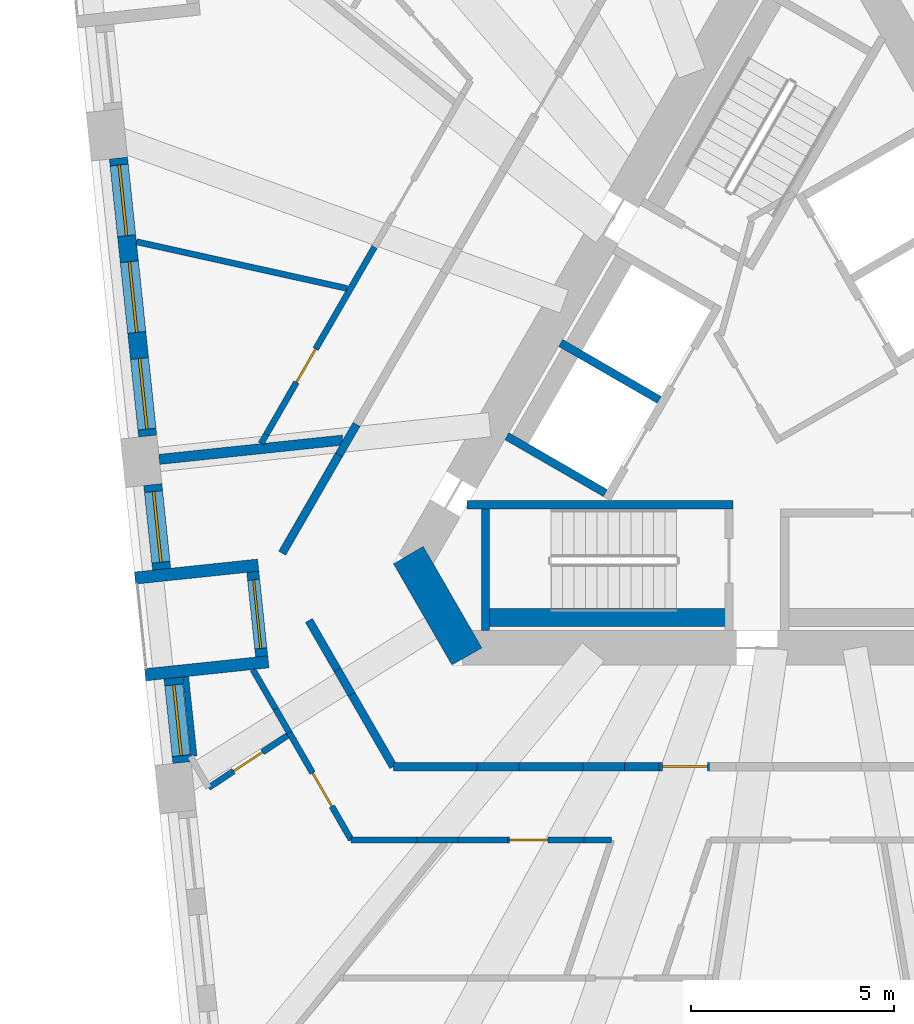
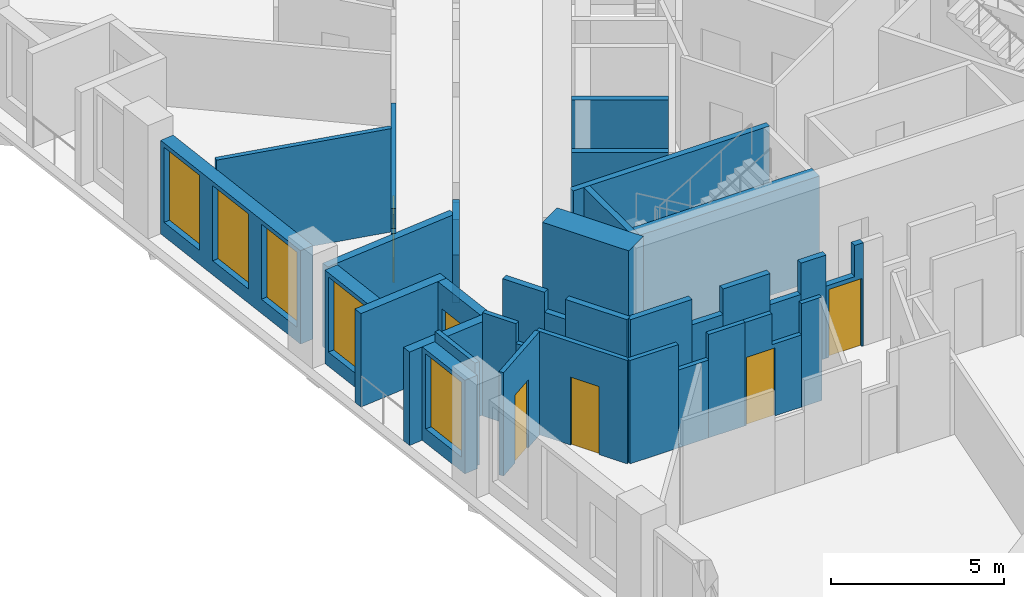
# One storey, part 3 of 14: 37 walls, 6 doors, 5 windows, 11 openings.
"""IFC4 building model written with IfcOpenShell, lengths in metres."""

from ifc_helpers import new_model, si_unit, direction, frame, frame_2d, origin, place, context, subcontext, project, spatial, polyline, rectangle, outline, extrude, material, layer, layer_set, type_object, element, fill, save


model = new_model("IFC4")

# Units and contexts
model_context = context("Model", 3, precision=1e-05, world=origin(), true_north=direction((0.0, 1.0)))
body_context = subcontext(model_context, "Body", "Model", "MODEL_VIEW")
ifc_project = project(units=[si_unit("LENGTHUNIT", "METRE"), si_unit("AREAUNIT", "SQUARE_METRE"), si_unit("VOLUMEUNIT", "CUBIC_METRE"), si_unit("PLANEANGLEUNIT", "RADIAN"), si_unit("MASSUNIT", "GRAM", prefix="KILO")], contexts=[model_context])

# Site, building, storey
site_placement = place(None, origin())
site = spatial("IfcSite", under=ifc_project, at=site_placement, CompositionType="ELEMENT")
building_placement = place(site_placement, origin())
building = spatial("IfcBuilding", under=site, at=building_placement, Name="Tramontana Tower", CompositionType="ELEMENT")
storey_placement = place(building_placement, frame((0.0, 0.0, 170.800048828125)))
storey = spatial("IfcBuildingStorey", under=building, at=storey_placement, Name="L39", CompositionType="ELEMENT", Elevation=170.800048828125)

# Wall
ifc_material_1 = material(Name="Concrete 70 MPa", Category="concrete")
ifc_layer_1 = layer(ifc_material_1, 0.85009765625)
ifc_layer_set_1 = layer_set([ifc_layer_1], Name="Core wall 850 70 MPa")
wall_type_1 = type_object("IfcWallType", Name="Core wall 850 70 MPa", PredefinedType="SHEAR", material=ifc_layer_set_1)
wall_1_placement = place(storey_placement, frame((-9.8798828125, -4.03759765625, 0.0), z_axis=(0.0, 0.0, 1.0), x_axis=(0.499995765644, -0.866027848477, 0.0)))
element("IfcWall", 1, at=wall_1_placement, inside=storey, type_object=wall_type_1, Name="Core wall C2 L39", PredefinedType="SHEAR", context=body_context, shape_type="SweptSolid", body=[
    extrude(rectangle(XDim=2.88671875, YDim=0.85009765625, at=frame_2d((1.443359375, 0.0))), origin(), (0.0, 0.0, 1.0), 4.0),
])

# Wall, opening, door
ifc_material_2 = material(Name="Blockwork", Category="masonry")
ifc_layer_2 = layer(ifc_material_2, 0.199951171875)
ifc_layer_set_2 = layer_set([ifc_layer_2], Name="ENTRY WALL 200")
wall_type_2 = type_object("IfcWallType", Name="ENTRY WALL 200", PredefinedType="SOLIDWALL", material=ifc_layer_set_2)
wall_2_placement = place(storey_placement, frame((-3.713134765625, -9.25, 0.0), z_axis=(0.0, 0.0, 1.0), x_axis=(1.0, 0.0, 0.0)))
wall_2 = element("IfcWall", 2, at=wall_2_placement, inside=storey, type_object=wall_type_2, Name="Wall v40-ew2-7", PredefinedType="SOLIDWALL", context=body_context, shape_type="SweptSolid", body=[
    extrude(outline(polyline([(0.0, 0.0), (1.2451171875, 0.0), (1.2451171875, 3.64990234375), (0.95361328125, 3.64990234375), (0.95361328125, 2.550048828125), (0.0, 2.550048828125), (0.0, 0.0)])), frame((0.0, 0.10009765625, 0.0), z_axis=(0.0, -1.0, 0.0), x_axis=(1.0, 0.0, 0.0)), (0.0, 0.0, 1.0), 0.199951171875),
])
opening_1_placement = place(wall_2_placement, frame((0.09521484375, 0.0, 0.0)))
opening_1 = element("IfcOpeningElement", 3, at=opening_1_placement, cuts=wall_2, Name="Opening B4A-23", PredefinedType="OPENING", context=body_context, shape_type="SweptSolid", body=[
    extrude(rectangle(XDim=1.10009765625, YDim=2.39990234375, at=frame_2d((0.550048828125, 1.199951171875))), frame((0.0, 0.10986328125, 0.0), z_axis=(0.0, -1.0, 0.0), x_axis=(1.0, 0.0, 0.0)), (0.0, 0.0, 1.0), 0.219970703125),
])
ifc_material_3 = material(Name="Painted timber", Category="wood")
door_type_1 = type_object("IfcDoorType", Name="DOOR ENTRY 1100", OperationType="SINGLE_SWING_LEFT", PredefinedType="DOOR", material=ifc_material_3)
door_1_placement = place(opening_1_placement, origin())
door_1 = element("IfcDoor", 4, at=door_1_placement, inside=storey, type_object=door_type_1, Name="Door B4A-23", OperationType="SINGLE_SWING_LEFT", OverallHeight=2.39990234375, OverallWidth=1.10009765625, PredefinedType="DOOR", context=body_context, shape_type="SweptSolid", body=[
    extrude(rectangle(XDim=1.10009765625, YDim=2.39990234375, at=frame_2d((0.550048828125, 1.199951171875))), frame((0.0, 0.02490234375, 0.0), z_axis=(0.0, -1.0, 0.0), x_axis=(1.0, 0.0, 0.0)), (0.0, 0.0, 1.0), 0.050048828125),
])
fill(opening_1, door_1)

# Walls
wall_3_placement = place(storey_placement, frame((-3.713134765625, -9.25, 0.0), z_axis=(0.0, 0.0, 1.0), x_axis=(-1.0, 0.0, 0.0)))
element("IfcWall", 5, at=wall_3_placement, inside=storey, type_object=wall_type_2, Name="Wall v40-ew2-8", PredefinedType="SOLIDWALL", context=body_context, shape_type="SweptSolid", body=[
    extrude(rectangle(XDim=0.84130859375, YDim=0.199951171875, at=frame_2d((0.420654296875, 0.0))), origin(), (0.0, 0.0, 1.0), 3.64990234375),
])
wall_4_placement = place(storey_placement, frame((-4.554443359375, -9.25, 0.0), z_axis=(0.0, 0.0, 1.0), x_axis=(-1.0, 0.0, 0.0)))
element("IfcWall", 6, at=wall_4_placement, inside=storey, type_object=wall_type_2, Name="Wall v40-ew2-9", PredefinedType="SOLIDWALL", context=body_context, shape_type="SweptSolid", body=[
    extrude(rectangle(XDim=1.026123046875, YDim=0.199951171875, at=frame_2d((0.51318359375, 0.0))), origin(), (0.0, 0.0, 1.0), 2.550048828125),
])
wall_5_placement = place(storey_placement, frame((-5.58056640625, -9.25, 0.0), z_axis=(0.0, 0.0, 1.0), x_axis=(-1.0, 0.0, 0.0)))
element("IfcWall", 7, at=wall_5_placement, inside=storey, type_object=wall_type_2, Name="Wall v40-ew2-10", PredefinedType="SOLIDWALL", context=body_context, shape_type="SweptSolid", body=[
    extrude(rectangle(XDim=1.57177734375, YDim=0.199951171875, at=frame_2d((0.785888671875, 0.0))), origin(), (0.0, 0.0, 1.0), 3.64990234375),
])
wall_6_placement = place(storey_placement, frame((-7.15234375, -9.25, 0.0), z_axis=(0.0, 0.0, 1.0), x_axis=(-1.0, 0.0, 0.0)))
element("IfcWall", 8, at=wall_6_placement, inside=storey, type_object=wall_type_2, Name="Wall v40-ew2-11", PredefinedType="SOLIDWALL", context=body_context, shape_type="SweptSolid", body=[
    extrude(rectangle(XDim=1.039306640625, YDim=0.199951171875, at=frame_2d((0.51953125, 0.0))), origin(), (0.0, 0.0, 1.0), 2.75),
])
wall_7_placement = place(storey_placement, frame((-8.191650390625, -9.25, 0.0), z_axis=(0.0, 0.0, 1.0), x_axis=(-1.0, 0.0, 0.0)))
element("IfcWall", 9, at=wall_7_placement, inside=storey, type_object=wall_type_2, Name="Wall v40-ew2-12", PredefinedType="SOLIDWALL", context=body_context, shape_type="SweptSolid", body=[
    extrude(rectangle(XDim=2.056396484375, YDim=0.199951171875, at=frame_2d((1.0283203125, 0.0))), origin(), (0.0, 0.0, 1.0), 3.64990234375),
])
wall_8_placement = place(storey_placement, frame((-10.248046875, -9.25, 0.0), z_axis=(0.0, 0.0, 1.0), x_axis=(-0.499941542975, 0.866059151333, 0.0)))
element("IfcWall", 10, at=wall_8_placement, inside=storey, type_object=wall_type_2, Name="Wall v40-ew3-0", PredefinedType="SOLIDWALL", context=body_context, shape_type="SweptSolid", body=[
    extrude(rectangle(XDim=2.057861328125, YDim=0.199951171875, at=frame_2d((1.02880859375, 0.0))), origin(), (0.0, 0.0, 1.0), 3.64990234375),
])
wall_9_placement = place(storey_placement, frame((-11.27685546875, -7.4677734375, 0.0), z_axis=(0.0, 0.0, 1.0), x_axis=(-0.50022532796, 0.865895271535, 0.0)))
element("IfcWall", 11, at=wall_9_placement, inside=storey, type_object=wall_type_2, Name="Wall v40-ew3-1", PredefinedType="SOLIDWALL", context=body_context, shape_type="SweptSolid", body=[
    extrude(rectangle(XDim=0.700439453125, YDim=0.199951171875, at=frame_2d((0.35009765625, 0.0))), origin(), (0.0, 0.0, 1.0), 2.949951171875),
])
wall_10_placement = place(storey_placement, frame((-11.627197265625, -6.861328125, 0.0), z_axis=(0.0, 0.0, 1.0), x_axis=(-0.49998411664, 0.866034573852, 0.0)))
element("IfcWall", 12, at=wall_10_placement, inside=storey, type_object=wall_type_2, Name="Wall v40-ew3-2", PredefinedType="SOLIDWALL", context=body_context, shape_type="SweptSolid", body=[
    extrude(rectangle(XDim=1.39990234375, YDim=0.199951171875, at=frame_2d((0.699951171875, 0.0))), origin(), (0.0, 0.0, 1.0), 3.64990234375),
])
wall_11_placement = place(storey_placement, frame((-12.986572265625, -3.993408203125, 0.0), z_axis=(0.0, 0.0, 1.0), x_axis=(0.499976698542, 0.86603885647, 0.0)))
element("IfcWall", 13, at=wall_11_placement, inside=storey, type_object=wall_type_2, Name="Wall v40-ew4-0", PredefinedType="SOLIDWALL", context=body_context, shape_type="SweptSolid", body=[
    extrude(rectangle(XDim=2.798583984375, YDim=0.199951171875, at=frame_2d((1.3994140625, 0.0))), origin(), (0.0, 0.0, 1.0), 3.64990234375),
])
wall_12_placement = place(storey_placement, frame((-11.58740234375, -1.56982421875, 0.0), z_axis=(0.0, 0.0, 1.0), x_axis=(0.500023708017, 0.866011715522, 0.0)))
element("IfcWall", 14, at=wall_12_placement, inside=storey, type_object=wall_type_2, Name="Wall v40-ew4-1", PredefinedType="SOLIDWALL", context=body_context, shape_type="SweptSolid", body=[
    extrude(rectangle(XDim=0.865234375, YDim=0.199951171875, at=frame_2d((0.4326171875, 0.0))), origin(), (0.0, 0.0, 1.0), 2.949951171875),
])

# Wall, openings, windows
ifc_material_4 = material(Name="Precast concrete 60 MPa", Category="concrete")
ifc_layer_3 = layer(ifc_material_4, 0.449951171875)
ifc_layer_set_3 = layer_set([ifc_layer_3], Name="Precast concrete 60 MPa, 450 mm")
wall_type_3 = type_object("IfcWallType", Name="EW1 Stone-faced precast wall 450", PredefinedType="SOLIDWALL", material=ifc_layer_set_3)
wall_13_placement = place(storey_placement, frame((-17.017822265625, 5.735595703125, 0.0), z_axis=(0.0, 0.0, 1.0), x_axis=(0.104531531326, -0.994521572898, 0.0)))
wall_13 = element("IfcWall", 15, at=wall_13_placement, inside=storey, type_object=wall_type_3, Name="External wall L39 face 0 bay 3", PredefinedType="SOLIDWALL", context=body_context, shape_type="SweptSolid", body=[
    extrude(rectangle(XDim=6.8828125, YDim=0.449951171875, at=frame_2d((3.44140625, 0.0))), origin(), (0.0, 0.0, 1.0), 3.300048828125),
])
opening_2_placement = place(wall_13_placement, frame((0.172119140625, 0.0, 0.5)))
opening_2 = element("IfcOpeningElement", 16, at=opening_2_placement, cuts=wall_13, Name="Opening M2", PredefinedType="OPENING", context=body_context, shape_type="SweptSolid", body=[
    extrude(rectangle(XDim=1.75, YDim=2.64990234375, at=frame_2d((0.875, 1.324951171875))), frame((0.0, 0.23486328125, 0.0), z_axis=(0.0, -1.0, 0.0), x_axis=(1.0, 0.0, 0.0)), (0.0, 0.0, 1.0), 0.469970703125),
])
opening_3_placement = place(wall_13_placement, frame((2.56640625, 0.0, 0.5)))
opening_3 = element("IfcOpeningElement", 17, at=opening_3_placement, cuts=wall_13, Name="Opening M2", PredefinedType="OPENING", context=body_context, shape_type="SweptSolid", body=[
    extrude(rectangle(XDim=1.75, YDim=2.64990234375, at=frame_2d((0.875, 1.324951171875))), frame((0.0, 0.23486328125, 0.0), z_axis=(0.0, -1.0, 0.0), x_axis=(1.0, 0.0, 0.0)), (0.0, 0.0, 1.0), 0.469970703125),
])
opening_4_placement = place(wall_13_placement, frame((4.960693359375, 0.0, 0.5)))
opening_4 = element("IfcOpeningElement", 18, at=opening_4_placement, cuts=wall_13, Name="Opening M2", PredefinedType="OPENING", context=body_context, shape_type="SweptSolid", body=[
    extrude(rectangle(XDim=1.75, YDim=2.64990234375, at=frame_2d((0.875, 1.324951171875))), frame((0.0, 0.23486328125, 0.0), z_axis=(0.0, -1.0, 0.0), x_axis=(1.0, 0.0, 0.0)), (0.0, 0.0, 1.0), 0.469970703125),
])
ifc_material_5 = material(Name="Aluminum frame, double glazing unit", Category="aluminium")
window_type = type_object("IfcWindowType", Name="M2 Window 1.75 x 2.65", PartitioningType="SINGLE_PANEL", PredefinedType="WINDOW", material=ifc_material_5)
window_1_placement = place(opening_2_placement, origin())
window_1 = element("IfcWindow", 19, at=window_1_placement, inside=storey, type_object=window_type, Name="Window M2 L39 face 0 module 7", OverallHeight=2.64990234375, OverallWidth=1.75, PartitioningType="SINGLE_PANEL", PredefinedType="WINDOW", context=body_context, shape_type="SweptSolid", body=[
    extrude(rectangle(XDim=1.75, YDim=2.64990234375, at=frame_2d((0.875, 1.324951171875))), frame((0.0, 0.030029296875, 0.0), z_axis=(0.0, -1.0, 0.0), x_axis=(1.0, 0.0, 0.0)), (0.0, 0.0, 1.0), 0.06005859375),
])
fill(opening_2, window_1)
window_2_placement = place(opening_3_placement, origin())
window_2 = element("IfcWindow", 20, at=window_2_placement, inside=storey, type_object=window_type, Name="Window M2 L39 face 0 module 8", OverallHeight=2.64990234375, OverallWidth=1.75, PartitioningType="SINGLE_PANEL", PredefinedType="WINDOW", context=body_context, shape_type="SweptSolid", body=[
    extrude(rectangle(XDim=1.75, YDim=2.64990234375, at=frame_2d((0.875, 1.324951171875))), frame((0.0, 0.030029296875, 0.0), z_axis=(0.0, -1.0, 0.0), x_axis=(1.0, 0.0, 0.0)), (0.0, 0.0, 1.0), 0.06005859375),
])
fill(opening_3, window_2)
window_3_placement = place(opening_4_placement, origin())
window_3 = element("IfcWindow", 21, at=window_3_placement, inside=storey, type_object=window_type, Name="Window M2 L39 face 0 module 9", OverallHeight=2.64990234375, OverallWidth=1.75, PartitioningType="SINGLE_PANEL", PredefinedType="WINDOW", context=body_context, shape_type="SweptSolid", body=[
    extrude(rectangle(XDim=1.75, YDim=2.64990234375, at=frame_2d((0.875, 1.324951171875))), frame((0.0, 0.030029296875, 0.0), z_axis=(0.0, -1.0, 0.0), x_axis=(1.0, 0.0, 0.0)), (0.0, 0.0, 1.0), 0.06005859375),
])
fill(opening_4, window_3)

# Wall, opening, window
wall_14_placement = place(storey_placement, frame((-16.1728515625, -2.30322265625, 0.0), z_axis=(0.0, 0.0, 1.0), x_axis=(0.104569484464, -0.994517583011, 0.0)))
wall_14 = element("IfcWall", 22, at=wall_14_placement, inside=storey, type_object=wall_type_3, Name="External wall L39 face 0 bay 4", PredefinedType="SOLIDWALL", context=body_context, shape_type="SweptSolid", body=[
    extrude(rectangle(XDim=2.09423828125, YDim=0.449951171875, at=frame_2d((1.047119140625, 0.0))), origin(), (0.0, 0.0, 1.0), 3.300048828125),
])
opening_5_placement = place(wall_14_placement, frame((0.172119140625, 0.0, 0.5)))
opening_5 = element("IfcOpeningElement", 23, at=opening_5_placement, cuts=wall_14, Name="Opening M2", PredefinedType="OPENING", context=body_context, shape_type="SweptSolid", body=[
    extrude(rectangle(XDim=1.75, YDim=2.64990234375, at=frame_2d((0.875, 1.324951171875))), frame((0.0, 0.23486328125, 0.0), z_axis=(0.0, -1.0, 0.0), x_axis=(1.0, 0.0, 0.0)), (0.0, 0.0, 1.0), 0.469970703125),
])
window_4_placement = place(opening_5_placement, origin())
window_4 = element("IfcWindow", 24, at=window_4_placement, inside=storey, type_object=window_type, Name="Window M2 L39 face 0 module 10", OverallHeight=2.64990234375, OverallWidth=1.75, PartitioningType="SINGLE_PANEL", PredefinedType="WINDOW", context=body_context, shape_type="SweptSolid", body=[
    extrude(rectangle(XDim=1.75, YDim=2.64990234375, at=frame_2d((0.875, 1.324951171875))), frame((0.0, 0.030029296875, 0.0), z_axis=(0.0, -1.0, 0.0), x_axis=(1.0, 0.0, 0.0)), (0.0, 0.0, 1.0), 0.06005859375),
])
fill(opening_5, window_4)

wall_15_placement = place(storey_placement, frame((-15.67236328125, -7.0654296875, 0.0), z_axis=(0.0, 0.0, 1.0), x_axis=(0.104557362307, -0.994518857532, 0.0)))
wall_15 = element("IfcWall", 25, at=wall_15_placement, inside=storey, type_object=wall_type_3, Name="External wall L39 face 0 bay 4", PredefinedType="SOLIDWALL", context=body_context, shape_type="SweptSolid", body=[
    extrude(rectangle(XDim=2.094482421875, YDim=0.449951171875, at=frame_2d((1.04736328125, 0.0))), origin(), (0.0, 0.0, 1.0), 3.300048828125),
])
opening_6_placement = place(wall_15_placement, frame((0.172119140625, 0.0, 0.5)))
opening_6 = element("IfcOpeningElement", 26, at=opening_6_placement, cuts=wall_15, Name="Opening M2", PredefinedType="OPENING", context=body_context, shape_type="SweptSolid", body=[
    extrude(rectangle(XDim=1.75, YDim=2.64990234375, at=frame_2d((0.875, 1.324951171875))), frame((0.0, 0.23486328125, 0.0), z_axis=(0.0, -1.0, 0.0), x_axis=(1.0, 0.0, 0.0)), (0.0, 0.0, 1.0), 0.469970703125),
])
window_5_placement = place(opening_6_placement, origin())
window_5 = element("IfcWindow", 27, at=window_5_placement, inside=storey, type_object=window_type, Name="Window M2 L39 face 0 module 12", OverallHeight=2.64990234375, OverallWidth=1.75, PartitioningType="SINGLE_PANEL", PredefinedType="WINDOW", context=body_context, shape_type="SweptSolid", body=[
    extrude(rectangle(XDim=1.75, YDim=2.64990234375, at=frame_2d((0.875, 1.324951171875))), frame((0.0, 0.030029296875, 0.0), z_axis=(0.0, -1.0, 0.0), x_axis=(1.0, 0.0, 0.0)), (0.0, 0.0, 1.0), 0.06005859375),
])
fill(opening_6, window_5)

# Wall, opening, door
ifc_material_6 = material(Name="Precast concrete 60 MPa", Category="concrete")
ifc_layer_4 = layer(ifc_material_6, 0.300048828125)
ifc_layer_set_4 = layer_set([ifc_layer_4], Name="LW1 Stone-faced loggia wall 300")
wall_type_4 = type_object("IfcWallType", Name="LW1 Stone-faced loggia wall 300", PredefinedType="SOLIDWALL", material=ifc_layer_set_4)
wall_16_placement = place(storey_placement, frame((-13.709716796875, -4.45166015625, 0.0), z_axis=(0.0, 0.0, 1.0), x_axis=(0.104442071108, -0.994530971756, 0.0)))
wall_16 = element("IfcWall", 28, at=wall_16_placement, inside=storey, type_object=wall_type_4, Name="Loggia wall L39 G4S0.10", PredefinedType="SOLIDWALL", context=body_context, shape_type="SweptSolid", body=[
    extrude(rectangle(XDim=2.094482421875, YDim=0.300048828125, at=frame_2d((1.04736328125, 0.0))), origin(), (0.0, 0.0, 1.0), 3.300048828125),
])
opening_7_placement = place(wall_16_placement, frame((0.197265625, 0.0, 0.0)))
opening_7 = element("IfcOpeningElement", 29, at=opening_7_placement, cuts=wall_16, Name="Opening BD-4S0-10", PredefinedType="OPENING", context=body_context, shape_type="SweptSolid", body=[
    extrude(rectangle(XDim=1.699951171875, YDim=2.449951171875, at=frame_2d((0.85009765625, 1.22509765625))), frame((0.0, 0.159912109375, 0.0), z_axis=(0.0, -1.0, 0.0), x_axis=(1.0, 0.0, 0.0)), (0.0, 0.0, 1.0), 0.320068359375),
])
ifc_material_7 = material(Name="Aluminum frame, double glazing unit", Category="aluminium")
door_type_2 = type_object("IfcDoorType", Name="BD2 Sliding door 1.7 x 2.45", OperationType="SLIDING_TO_LEFT", PredefinedType="DOOR", material=ifc_material_7)
door_2_placement = place(opening_7_placement, origin())
door_2 = element("IfcDoor", 30, at=door_2_placement, inside=storey, type_object=door_type_2, Name="Loggia door L39 G4S0.10", OperationType="SLIDING_TO_LEFT", OverallHeight=2.449951171875, OverallWidth=1.699951171875, PredefinedType="DOOR", context=body_context, shape_type="SweptSolid", body=[
    extrude(rectangle(XDim=1.699951171875, YDim=2.449951171875, at=frame_2d((0.85009765625, 1.22509765625))), frame((0.0, 0.02490234375, 0.0), z_axis=(0.0, -1.0, 0.0), x_axis=(1.0, 0.0, 0.0)), (0.0, 0.0, 1.0), 0.050048828125),
])
fill(opening_7, door_2)

# Walls
for number, where, z_axis, x_axis, name in (
    (31, (-16.609619140625, -4.605712890625, 0.0), (0.0, 0.0, 1.0), (0.994521230707, 0.104534786906, 0.0), "Loggia return L39 G4S0.10a"),
    (32, (-16.359375, -6.98681640625, 0.0), (0.0, 0.0, 1.0), (0.994521230707, 0.104534786906, 0.0), "Loggia return L39 G4S0.10b"),
):
    element("IfcWall", number, at=place(storey_placement, frame(where, z_axis=z_axis, x_axis=x_axis)), inside=storey, type_object=wall_type_4, Name=name, PredefinedType="SOLIDWALL", context=body_context, shape_type="SweptSolid", body=[
        extrude(rectangle(XDim=3.050048828125, YDim=0.300048828125, at=frame_2d((1.52490234375, 0.0))), origin(), (0.0, 0.0, 1.0), 3.300048828125),
    ])
ifc_material_8 = material(Name="Gypsum board partition")
ifc_layer_5 = layer(ifc_material_8, 0.14990234375)
ifc_layer_set_5 = layer_set([ifc_layer_5], Name="PARTITION 150")
wall_type_5 = type_object("IfcWallType", Name="PARTITION 150", PredefinedType="PARTITIONING", material=ifc_layer_set_5)
wall_17_placement = place(storey_placement, frame((-15.158447265625, -8.98974609375, 0.0), z_axis=(0.0, 0.0, 1.0), x_axis=(-0.104490984784, 0.994525833802, 0.0)))
element("IfcWall", 33, at=wall_17_placement, inside=storey, type_object=wall_type_5, Name="Wall v40-pw00", PredefinedType="PARTITIONING", context=body_context, shape_type="SweptSolid", body=[
    extrude(rectangle(XDim=1.96728515625, YDim=0.14990234375, at=frame_2d((0.983642578125, 0.0))), origin(), (0.0, 0.0, 1.0), 3.64990234375),
])
wall_18_placement = place(storey_placement, frame((-13.50634765625, -1.2939453125, 0.0), z_axis=(0.0, 0.0, 1.0), x_axis=(0.499239477509, 0.866464046627, 0.0)))
element("IfcWall", 34, at=wall_18_placement, inside=storey, type_object=wall_type_5, Name="Wall v40-pw03-0", PredefinedType="PARTITIONING", context=body_context, shape_type="SweptSolid", body=[
    extrude(rectangle(XDim=0.2626953125, YDim=0.14990234375, at=frame_2d((0.13134765625, 0.0))), origin(), (0.0, 0.0, 1.0), 2.949951171875),
])

# Wall, opening, door
wall_19_placement = place(storey_placement, frame((-13.375244140625, -1.06640625, 0.0), z_axis=(0.0, 0.0, 1.0), x_axis=(0.500004172341, 0.866022994869, 0.0)))
wall_19 = element("IfcWall", 35, at=wall_19_placement, inside=storey, type_object=wall_type_5, Name="Wall v40-pw03-1", PredefinedType="PARTITIONING", context=body_context, shape_type="SweptSolid", body=[
    extrude(rectangle(XDim=5.326171875, YDim=0.14990234375, at=frame_2d((2.6630859375, 0.0))), origin(), (0.0, 0.0, 1.0), 3.64990234375),
])
opening_8_placement = place(wall_19_placement, frame((1.479248046875, 0.0, 0.0)))
opening_8 = element("IfcOpeningElement", 36, at=opening_8_placement, cuts=wall_19, Name="Opening B4A-06", PredefinedType="OPENING", context=body_context, shape_type="SweptSolid", body=[
    extrude(rectangle(XDim=0.949951171875, YDim=2.39990234375, at=frame_2d((0.47509765625, 1.199951171875))), frame((0.0, 0.0849609375, 0.0), z_axis=(0.0, -1.0, 0.0), x_axis=(1.0, 0.0, 0.0)), (0.0, 0.0, 1.0), 0.169921875),
])
ifc_material_9 = material(Name="Painted timber", Category="wood")
door_type_3 = type_object("IfcDoorType", Name="DOOR ROOM 950", OperationType="SINGLE_SWING_LEFT", PredefinedType="DOOR", material=ifc_material_9)
door_3_placement = place(opening_8_placement, origin())
door_3 = element("IfcDoor", 37, at=door_3_placement, inside=storey, type_object=door_type_3, Name="Door B4A-06", OperationType="SINGLE_SWING_RIGHT", OverallHeight=2.39990234375, OverallWidth=0.949951171875, PredefinedType="DOOR", context=body_context, shape_type="SweptSolid", body=[
    extrude(rectangle(XDim=0.949951171875, YDim=2.39990234375, at=frame_2d((0.47509765625, 1.199951171875))), frame((0.0, 0.02490234375, 0.0), z_axis=(0.0, -1.0, 0.0), x_axis=(1.0, 0.0, 0.0)), (0.0, 0.0, 1.0), 0.050048828125),
])
fill(opening_8, door_3)

wall_20_placement = place(storey_placement, frame((-14.79931640625, -9.766845703125, 0.0), z_axis=(0.0, 0.0, 1.0), x_axis=(0.834605551229, 0.5508480497, 0.0)))
wall_20 = element("IfcWall", 38, at=wall_20_placement, inside=storey, type_object=wall_type_5, Name="Wall v40-pw04", PredefinedType="PARTITIONING", context=body_context, shape_type="SweptSolid", body=[
    extrude(rectangle(XDim=2.3291015625, YDim=0.14990234375, at=frame_2d((1.16455078125, 0.0))), origin(), (0.0, 0.0, 1.0), 3.64990234375),
])
opening_9_placement = place(wall_20_placement, frame((0.739501953125, 0.0, 0.0)))
opening_9 = element("IfcOpeningElement", 39, at=opening_9_placement, cuts=wall_20, Name="Opening B4A-14", PredefinedType="OPENING", context=body_context, shape_type="SweptSolid", body=[
    extrude(rectangle(XDim=0.85009765625, YDim=2.39990234375, at=frame_2d((0.425048828125, 1.199951171875))), frame((0.0, 0.0849609375, 0.0), z_axis=(0.0, -1.0, 0.0), x_axis=(1.0, 0.0, 0.0)), (0.0, 0.0, 1.0), 0.169921875),
])
ifc_material_10 = material(Name="Painted timber", Category="wood")
door_type_4 = type_object("IfcDoorType", Name="DOOR BATH 850", OperationType="SINGLE_SWING_LEFT", PredefinedType="DOOR", material=ifc_material_10)
door_4_placement = place(opening_9_placement, origin())
door_4 = element("IfcDoor", 40, at=door_4_placement, inside=storey, type_object=door_type_4, Name="Door B4A-14", OperationType="SINGLE_SWING_RIGHT", OverallHeight=2.39990234375, OverallWidth=0.85009765625, PredefinedType="DOOR", context=body_context, shape_type="SweptSolid", body=[
    extrude(rectangle(XDim=0.85009765625, YDim=2.39990234375, at=frame_2d((0.425048828125, 1.199951171875))), frame((0.0, 0.02490234375, 0.0), z_axis=(0.0, -1.0, 0.0), x_axis=(1.0, 0.0, 0.0)), (0.0, 0.0, 1.0), 0.050048828125),
])
fill(opening_9, door_4)

# Wall
wall_21_placement = place(storey_placement, frame((-11.387939453125, 2.525634765625, 0.0), z_axis=(0.0, 0.0, 1.0), x_axis=(-0.976268081413, 0.216565540229, 0.0)))
element("IfcWall", 41, at=wall_21_placement, inside=storey, type_object=wall_type_5, Name="Wall v40-pw07", PredefinedType="PARTITIONING", context=body_context, shape_type="SweptSolid", body=[
    extrude(rectangle(XDim=5.31298828125, YDim=0.14990234375, at=frame_2d((2.656494140625, 0.0))), origin(), (0.0, 0.0, 1.0), 3.64990234375),
])

# Wall, opening, door
wall_22_placement = place(storey_placement, frame((-11.287353515625, -11.050048828125, 0.0), z_axis=(0.0, 0.0, 1.0), x_axis=(-0.499958377808, 0.866049433035, 0.0)))
wall_22 = element("IfcWall", 42, at=wall_22_placement, inside=storey, type_object=wall_type_5, Name="Wall v40-pw08-0", PredefinedType="PARTITIONING", context=body_context, shape_type="SweptSolid", body=[
    extrude(rectangle(XDim=3.045654296875, YDim=0.14990234375, at=frame_2d((1.52294921875, 0.0))), origin(), (0.0, 0.0, 1.0), 3.64990234375),
])
opening_10_placement = place(wall_22_placement, frame((0.9501953125, 0.0, 0.0)))
opening_10 = element("IfcOpeningElement", 43, at=opening_10_placement, cuts=wall_22, Name="Opening B4A-11", PredefinedType="OPENING", context=body_context, shape_type="SweptSolid", body=[
    extrude(rectangle(XDim=0.949951171875, YDim=2.39990234375, at=frame_2d((0.47509765625, 1.199951171875))), frame((0.0, 0.0849609375, 0.0), z_axis=(0.0, -1.0, 0.0), x_axis=(1.0, 0.0, 0.0)), (0.0, 0.0, 1.0), 0.169921875),
])
door_5_placement = place(opening_10_placement, origin())
door_5 = element("IfcDoor", 44, at=door_5_placement, inside=storey, type_object=door_type_3, Name="Door B4A-11", OperationType="SINGLE_SWING_LEFT", OverallHeight=2.39990234375, OverallWidth=0.949951171875, PredefinedType="DOOR", context=body_context, shape_type="SweptSolid", body=[
    extrude(rectangle(XDim=0.949951171875, YDim=2.39990234375, at=frame_2d((0.47509765625, 1.199951171875))), frame((0.0, 0.02490234375, 0.0), z_axis=(0.0, -1.0, 0.0), x_axis=(1.0, 0.0, 0.0)), (0.0, 0.0, 1.0), 0.050048828125),
])
fill(opening_10, door_5)

# Walls
wall_23_placement = place(storey_placement, frame((-12.81005859375, -8.412353515625, 0.0), z_axis=(0.0, 0.0, 1.0), x_axis=(-0.499910196476, 0.866077245666, 0.0)))
element("IfcWall", 45, at=wall_23_placement, inside=storey, type_object=wall_type_5, Name="Wall v40-pw08-1", PredefinedType="PARTITIONING", context=body_context, shape_type="SweptSolid", body=[
    extrude(rectangle(XDim=0.67529296875, YDim=0.14990234375, at=frame_2d((0.337646484375, 0.0))), origin(), (0.0, 0.0, 1.0), 2.949951171875),
])
wall_24_placement = place(storey_placement, frame((-13.147705078125, -7.827392578125, 0.0), z_axis=(0.0, 0.0, 1.0), x_axis=(-0.499942933724, 0.866058348508, 0.0)))
element("IfcWall", 46, at=wall_24_placement, inside=storey, type_object=wall_type_5, Name="Wall v40-pw08-2", PredefinedType="PARTITIONING", context=body_context, shape_type="SweptSolid", body=[
    extrude(rectangle(XDim=1.118408203125, YDim=0.14990234375, at=frame_2d((0.55908203125, 0.0))), origin(), (0.0, 0.0, 1.0), 3.64990234375),
])
wall_25_placement = place(storey_placement, frame((-4.880859375, -11.050048828125, 0.0), z_axis=(0.0, 0.0, 1.0), x_axis=(-1.0, 0.0, 0.0)))
element("IfcWall", 47, at=wall_25_placement, inside=storey, type_object=wall_type_5, Name="Wall v40-pw15-0", PredefinedType="PARTITIONING", context=body_context, shape_type="SweptSolid", body=[
    extrude(rectangle(XDim=0.673828125, YDim=0.14990234375, at=frame_2d((0.3369140625, 0.0))), origin(), (0.0, 0.0, 1.0), 3.64990234375),
])

# Wall, opening, door
wall_26_placement = place(storey_placement, frame((-5.5546875, -11.050048828125, 0.0), z_axis=(0.0, 0.0, 1.0), x_axis=(-1.0, 0.0, 0.0)))
wall_26 = element("IfcWall", 48, at=wall_26_placement, inside=storey, type_object=wall_type_5, Name="Wall v40-pw15-1", PredefinedType="PARTITIONING", context=body_context, shape_type="SweptSolid", body=[
    extrude(outline(polyline([(0.0, 0.0), (1.88818359375, 0.0), (1.887939453125, 3.64990234375), (0.997802734375, 3.64990234375), (0.997802734375, 2.550048828125), (0.0, 2.550048828125), (0.0, 0.0)])), frame((0.0, 0.074951171875, 0.0), z_axis=(0.0, -1.0, 0.0), x_axis=(1.0, 0.0, 0.0)), (0.0, 0.0, 1.0), 0.14990234375),
])
opening_11_placement = place(wall_26_placement, frame((0.887939453125, 0.0, 0.0)))
opening_11 = element("IfcOpeningElement", 49, at=opening_11_placement, cuts=wall_26, Name="Opening B4A-08", PredefinedType="OPENING", context=body_context, shape_type="SweptSolid", body=[
    extrude(rectangle(XDim=0.949951171875, YDim=2.39990234375, at=frame_2d((0.47509765625, 1.199951171875))), frame((0.0, 0.0849609375, 0.0), z_axis=(0.0, -1.0, 0.0), x_axis=(1.0, 0.0, 0.0)), (0.0, 0.0, 1.0), 0.169921875),
])
door_6_placement = place(opening_11_placement, origin())
door_6 = element("IfcDoor", 50, at=door_6_placement, inside=storey, type_object=door_type_3, Name="Door B4A-08", OperationType="SINGLE_SWING_RIGHT", OverallHeight=2.39990234375, OverallWidth=0.949951171875, PredefinedType="DOOR", context=body_context, shape_type="SweptSolid", body=[
    extrude(rectangle(XDim=0.949951171875, YDim=2.39990234375, at=frame_2d((0.47509765625, 1.199951171875))), frame((0.0, 0.02490234375, 0.0), z_axis=(0.0, -1.0, 0.0), x_axis=(1.0, 0.0, 0.0)), (0.0, 0.0, 1.0), 0.050048828125),
])
fill(opening_11, door_6)

# Walls
wall_27_placement = place(storey_placement, frame((-7.44287109375, -11.050048828125, 0.0), z_axis=(0.0, 0.0, 1.0), x_axis=(-1.0, 0.0, 0.0)))
element("IfcWall", 51, at=wall_27_placement, inside=storey, type_object=wall_type_5, Name="Wall v40-pw15-2", PredefinedType="PARTITIONING", context=body_context, shape_type="SweptSolid", body=[
    extrude(rectangle(XDim=1.21875, YDim=0.14990234375, at=frame_2d((0.609375, 0.0))), origin(), (0.0, 0.0, 1.0), 3.64990234375),
])
wall_28_placement = place(storey_placement, frame((-8.66162109375, -11.050048828125, 0.0), z_axis=(0.0, 0.0, 1.0), x_axis=(-1.0, 0.0, 0.0)))
element("IfcWall", 52, at=wall_28_placement, inside=storey, type_object=wall_type_5, Name="Wall v40-pw15-3", PredefinedType="PARTITIONING", context=body_context, shape_type="SweptSolid", body=[
    extrude(rectangle(XDim=1.0068359375, YDim=0.14990234375, at=frame_2d((0.50341796875, 0.0))), origin(), (0.0, 0.0, 1.0), 2.75),
])
wall_29_placement = place(storey_placement, frame((-9.66845703125, -11.050048828125, 0.0), z_axis=(0.0, 0.0, 1.0), x_axis=(-1.0, 0.0, 0.0)))
element("IfcWall", 53, at=wall_29_placement, inside=storey, type_object=wall_type_5, Name="Wall v40-pw15-4", PredefinedType="PARTITIONING", context=body_context, shape_type="SweptSolid", body=[
    extrude(rectangle(XDim=1.61865234375, YDim=0.14990234375, at=frame_2d((0.809326171875, 0.0))), origin(), (0.0, 0.0, 1.0), 3.64990234375),
])
ifc_material_11 = material(Name="Blockwork", Category="masonry")
ifc_layer_6 = layer(ifc_material_11, 0.25)
ifc_layer_set_6 = layer_set([ifc_layer_6], Name="PARTY WALL 250")
wall_type_6 = type_object("IfcWallType", Name="PARTY WALL 250", PredefinedType="SOLIDWALL", material=ifc_layer_set_6)
wall_30_placement = place(storey_placement, frame((-11.493896484375, -1.2080078125, 0.0), z_axis=(0.0, 0.0, 1.0), x_axis=(-0.99452163766, -0.104530915171, 0.0)))
element("IfcWall", 54, at=wall_30_placement, inside=storey, type_object=wall_type_6, Name="Wall v40-pw05-0", PredefinedType="SOLIDWALL", context=body_context, shape_type="SweptSolid", body=[
    extrude(rectangle(XDim=4.542724609375, YDim=0.25, at=frame_2d((2.271484375, 0.0))), origin(), (0.0, 0.0, 1.0), 2.949951171875),
])
ifc_material_12 = material(Name="Concrete 70 MPa", Category="concrete")
ifc_layer_7 = layer(ifc_material_12, 0.449951171875)
ifc_layer_set_7 = layer_set([ifc_layer_7], Name="Concrete 70 MPa, 450 mm")
wall_type_7 = type_object("IfcWallType", Name="RC SHAFT BACK WALL 450", PredefinedType="SOLIDWALL", material=ifc_layer_set_7)
wall_31_placement = place(storey_placement, frame((-8.080078125, -5.574951171875, 0.0), z_axis=(0.0, 0.0, 1.0), x_axis=(1.0, 0.0, 0.0)))
element("IfcWall", 55, at=wall_31_placement, inside=storey, type_object=wall_type_7, Name="Wall st2-back", PredefinedType="SOLIDWALL", context=body_context, shape_type="SweptSolid", body=[
    extrude(rectangle(XDim=6.2001953125, YDim=0.449951171875, at=frame_2d((3.10009765625, 0.0))), origin(), (0.0, 0.0, 1.0), 3.64990234375),
])
ifc_material_13 = material(Name="Concrete 70 MPa", Category="concrete")
ifc_layer_8 = layer(ifc_material_13, 0.199951171875)
ifc_layer_set_8 = layer_set([ifc_layer_8], Name="Concrete 70 MPa, 200 mm")
wall_type_8 = type_object("IfcWallType", Name="RC STAIR AND SHAFT WALL 200", PredefinedType="SOLIDWALL", material=ifc_layer_set_8)
wall_32_placement = place(storey_placement, frame((-8.42919921875, -2.800048828125, 0.0), z_axis=(0.0, 0.0, 1.0), x_axis=(1.0, 0.0, 0.0)))
element("IfcWall", 56, at=wall_32_placement, inside=storey, type_object=wall_type_8, Name="Wall st2-front", PredefinedType="SOLIDWALL", context=body_context, shape_type="SweptSolid", body=[
    extrude(rectangle(XDim=6.54931640625, YDim=0.199951171875, at=frame_2d((3.274658203125, 0.0))), origin(), (0.0, 0.0, 1.0), 3.64990234375),
])
wall_33_placement = place(storey_placement, frame((-7.97998046875, -2.89990234375, 0.0), z_axis=(0.0, 0.0, 1.0), x_axis=(0.0, -1.0, 0.0)))
element("IfcWall", 57, at=wall_33_placement, inside=storey, type_object=wall_type_8, Name="Wall st2-far", PredefinedType="SOLIDWALL", context=body_context, shape_type="SweptSolid", body=[
    extrude(rectangle(XDim=3.0, YDim=0.199951171875, at=frame_2d((1.5, 0.0))), origin(), (0.0, 0.0, 1.0), 3.64990234375),
])
wall_34_placement = place(storey_placement, frame((-3.70458984375, -0.216796875, 0.0), z_axis=(0.0, 0.0, 1.0), x_axis=(-0.866018616679, 0.500011755427, 0.0)))
element("IfcWall", 58, at=wall_34_placement, inside=storey, type_object=wall_type_8, Name="Wall row0-side1", PredefinedType="SOLIDWALL", context=body_context, shape_type="SweptSolid", body=[
    extrude(rectangle(XDim=2.80029296875, YDim=0.199951171875, at=frame_2d((1.400146484375, 0.0))), origin(), (0.0, 0.0, 1.0), 3.64990234375),
])
wall_35_placement = place(storey_placement, frame((-5.02978515625, -2.51171875, 0.0), z_axis=(0.0, 0.0, 1.0), x_axis=(-0.865996816683, 0.500049511043, 0.0)))
element("IfcWall", 59, at=wall_35_placement, inside=storey, type_object=wall_type_8, Name="Wall row0-side2", PredefinedType="SOLIDWALL", context=body_context, shape_type="SweptSolid", body=[
    extrude(rectangle(XDim=2.800048828125, YDim=0.199951171875, at=frame_2d((1.39990234375, 0.0))), origin(), (0.0, 0.0, 1.0), 3.64990234375),
])

save(model, "model.ifc")
